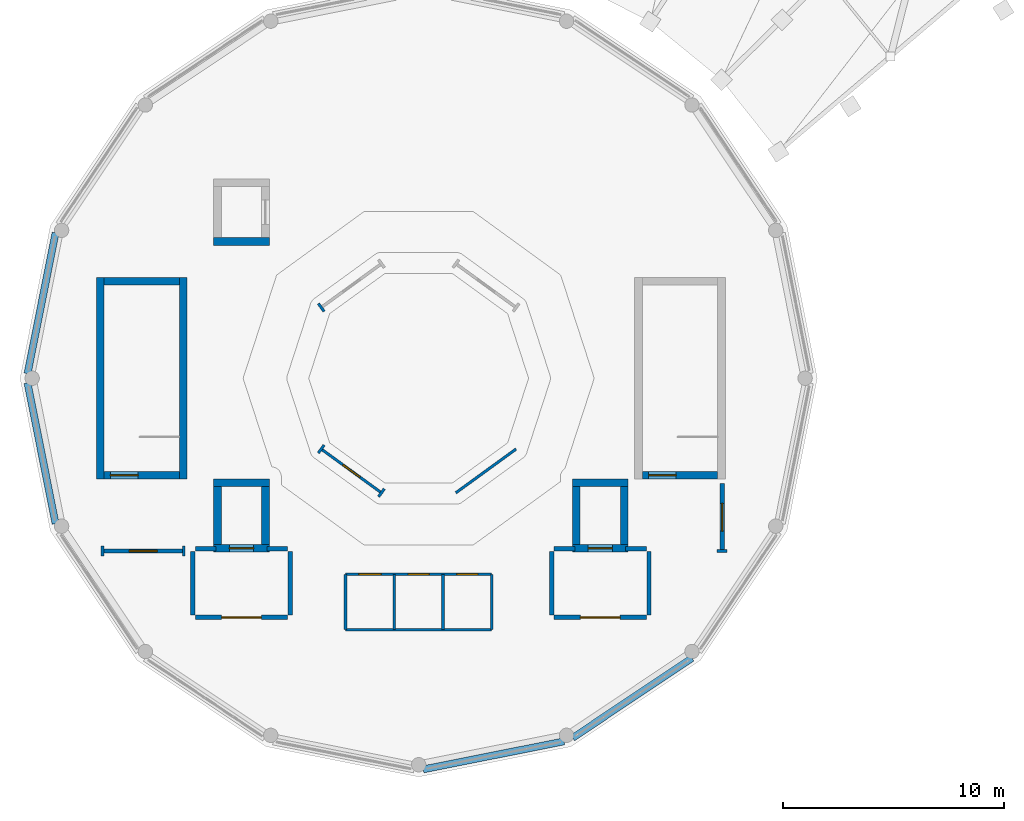
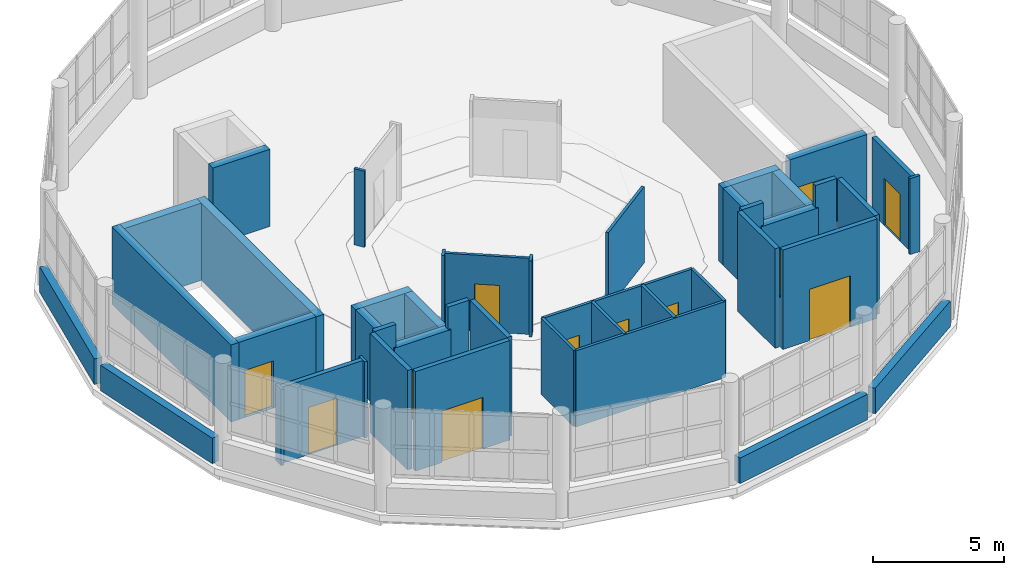
# One storey, part 10 of 12: 44 walls, 12 doors, 12 openings.
"""IFC4 building model written with IfcOpenShell, lengths in metres."""

from ifc_helpers import new_model, si_unit, direction, frame, frame_2d, origin, place, context, subcontext, project, spatial, rectangle, extrude, material, layer, layer_set, type_object, element, fill, save


model = new_model("IFC4")

# Units and contexts
model_context = context("Model", 3, precision=1e-05, world=origin(), true_north=direction((0.0, 1.0)))
body_context = subcontext(model_context, "Body", "Model", "MODEL_VIEW")
ifc_project = project(units=[si_unit("LENGTHUNIT", "METRE"), si_unit("AREAUNIT", "SQUARE_METRE"), si_unit("VOLUMEUNIT", "CUBIC_METRE"), si_unit("PLANEANGLEUNIT", "RADIAN"), si_unit("MASSUNIT", "GRAM", prefix="KILO")], contexts=[model_context])

# Site, building, storey
site_placement = place(None, origin())
site = spatial("IfcSite", under=ifc_project, at=site_placement, CompositionType="ELEMENT")
building_placement = place(site_placement, origin())
building = spatial("IfcBuilding", under=site, at=building_placement, Name="Soyqirgoq Riverine Aquarium", CompositionType="ELEMENT")
storey_placement = place(building_placement, frame((0.0, 0.0, 24.60009765625)))
storey = spatial("IfcBuildingStorey", under=building, at=storey_placement, Name="L06", CompositionType="ELEMENT", Elevation=24.60009765625)

# Wall, opening, door
ifc_material_1 = material(Name="Concrete C40/50", Category="concrete")
ifc_layer_1 = layer(ifc_material_1, 0.35009765625)
ifc_layer_set_1 = layer_set([ifc_layer_1], Name="Concrete C40/50")
wall_type_1 = type_object("IfcWallType", Name="CoreShearWall_350_C40", PredefinedType="SHEAR", material=ifc_layer_set_1)
wall_1_placement = place(storey_placement, frame((66.10009765625, 52.625, 0.0), z_axis=(0.0, 0.0, 1.0), x_axis=(1.0, 0.0, 0.0)))
wall_1 = element("IfcWall", 1, at=wall_1_placement, inside=storey, type_object=wall_type_1, Name="CORE-1 L06 Stair Core Shear Wall FRONT", PredefinedType="SHEAR", context=body_context, shape_type="SweptSolid", body=[
    extrude(rectangle(XDim=3.39990234375, YDim=0.35009765625, at=frame_2d((1.699951171875, 0.0))), origin(), (0.0, 0.0, 1.0), 3.599853515625),
])
opening_1_placement = place(wall_1_placement, frame((0.280029296875, 0.0, 0.0)))
opening_1 = element("IfcOpeningElement", 2, at=opening_1_placement, cuts=wall_1, Name="Opening FD-01", PredefinedType="OPENING", context=body_context, shape_type="SweptSolid", body=[
    extrude(rectangle(XDim=1.25, YDim=2.199951171875, at=frame_2d((0.625, 1.10009765625))), frame((0.0, 0.18505859375, 0.0), z_axis=(0.0, -1.0, 0.0), x_axis=(1.0, 0.0, 0.0)), (0.0, 0.0, 1.0), 0.3701171875),
])
ifc_material_2 = material(Name="Galvanised steel fire-resisting stair door", Category="steel")
door_type_1 = type_object("IfcDoorType", Name="StairFireDoor_1250x2200_EI90", OperationType="NOTDEFINED", PredefinedType="DOOR", material=ifc_material_2)
door_1_placement = place(opening_1_placement, origin())
door_1 = element("IfcDoor", 3, at=door_1_placement, inside=storey, type_object=door_type_1, Name="DR-ST-1-L06 ST-1 L06 Fire-Rated Stairwell Door", OperationType="SINGLE_SWING_LEFT", OverallHeight=2.199951171875, OverallWidth=1.25, PredefinedType="DOOR", context=body_context, shape_type="SweptSolid", body=[
    extrude(rectangle(XDim=1.25, YDim=2.199951171875, at=frame_2d((0.625, 1.10009765625))), frame((0.0, 0.02490234375, 0.0), z_axis=(0.0, -1.0, 0.0), x_axis=(1.0, 0.0, 0.0)), (0.0, 0.0, 1.0), 0.050048828125),
])
fill(opening_1, door_1)

wall_2_placement = place(storey_placement, frame((62.945068359375, 49.320068359375, 0.0), z_axis=(0.0, 0.0, 1.0), x_axis=(1.0, 0.0, 0.0)))
wall_2 = element("IfcWall", 4, at=wall_2_placement, inside=storey, type_object=wall_type_1, Name="Lift FFL-1 Shaft Wall L06 1", PredefinedType="SHEAR", context=body_context, shape_type="SweptSolid", body=[
    extrude(rectangle(XDim=2.510009765625, YDim=0.35009765625, at=frame_2d((1.2548828125, 0.0))), origin(), (0.0, 0.0, 1.0), 3.599853515625),
])
opening_2_placement = place(wall_2_placement, frame((0.705078125, 0.0, 0.0)))
opening_2 = element("IfcOpeningElement", 5, at=opening_2_placement, cuts=wall_2, Name="Opening LD-01", PredefinedType="OPENING", context=body_context, shape_type="SweptSolid", body=[
    extrude(rectangle(XDim=1.10009765625, YDim=2.199951171875, at=frame_2d((0.550048828125, 1.10009765625))), frame((0.0, 0.18505859375, 0.0), z_axis=(0.0, -1.0, 0.0), x_axis=(1.0, 0.0, 0.0)), (0.0, 0.0, 1.0), 0.3701171875),
])
ifc_material_3 = material(Name="Brushed stainless steel telescopic lift landing door", Category="steel")
door_type_2 = type_object("IfcDoorType", Name="LiftLandingDoor_1100x2200", OperationType="SLIDING_TO_LEFT", PredefinedType="DOOR", material=ifc_material_3)
door_2_placement = place(opening_2_placement, origin())
door_2 = element("IfcDoor", 6, at=door_2_placement, inside=storey, type_object=door_type_2, Name="LD-FFL-1-L06 Lift FFL-1 L06 Sliding Landing Door", OperationType="SLIDING_TO_LEFT", OverallHeight=2.199951171875, OverallWidth=1.10009765625, PredefinedType="DOOR", context=body_context, shape_type="SweptSolid", body=[
    extrude(rectangle(XDim=1.10009765625, YDim=2.199951171875, at=frame_2d((0.550048828125, 1.10009765625))), frame((0.0, 0.02490234375, 0.0), z_axis=(0.0, -1.0, 0.0), x_axis=(1.0, 0.0, 0.0)), (0.0, 0.0, 1.0), 0.050048828125),
])
fill(opening_2, door_2)

# Walls
wall_3_placement = place(storey_placement, frame((65.280029296875, 49.4951171875, 0.0), z_axis=(0.0, 0.0, 1.0), x_axis=(0.0, 1.0, 0.0)))
element("IfcWall", 7, at=wall_3_placement, inside=storey, type_object=wall_type_1, Name="Lift FFL-1 Shaft Wall L06 2", PredefinedType="SHEAR", context=body_context, shape_type="SweptSolid", body=[
    extrude(rectangle(XDim=2.60986328125, YDim=0.35009765625, at=frame_2d((1.304931640625, 0.0))), origin(), (0.0, 0.0, 1.0), 3.599853515625),
])
wall_4_placement = place(storey_placement, frame((65.455078125, 52.280029296875, 0.0), z_axis=(0.0, 0.0, 1.0), x_axis=(-1.0, 0.0, 0.0)))
element("IfcWall", 8, at=wall_4_placement, inside=storey, type_object=wall_type_1, Name="Lift FFL-1 Shaft Wall L06 3", PredefinedType="SHEAR", context=body_context, shape_type="SweptSolid", body=[
    extrude(rectangle(XDim=2.510009765625, YDim=0.35009765625, at=frame_2d((1.2548828125, 0.0))), origin(), (0.0, 0.0, 1.0), 3.599853515625),
])
wall_5_placement = place(storey_placement, frame((63.1201171875, 52.10498046875, 0.0), z_axis=(0.0, 0.0, 1.0), x_axis=(0.0, -1.0, 0.0)))
element("IfcWall", 9, at=wall_5_placement, inside=storey, type_object=wall_type_1, Name="Lift FFL-1 Shaft Wall L06 4", PredefinedType="SHEAR", context=body_context, shape_type="SweptSolid", body=[
    extrude(rectangle(XDim=2.60986328125, YDim=0.35009765625, at=frame_2d((1.304931640625, 0.0))), origin(), (0.0, 0.0, 1.0), 3.599853515625),
])
wall_6_placement = place(storey_placement, frame((45.375, 52.449951171875, 0.0), z_axis=(0.0, 0.0, 1.0), x_axis=(0.0, 1.0, 0.0)))
element("IfcWall", 10, at=wall_6_placement, inside=storey, type_object=wall_type_1, Name="CORE-1B L06 Stair Core Shear Wall SIDE1", PredefinedType="SHEAR", context=body_context, shape_type="SweptSolid", body=[
    extrude(rectangle(XDim=9.10009765625, YDim=0.35009765625, at=frame_2d((4.550048828125, 0.0))), origin(), (0.0, 0.0, 1.0), 3.599853515625),
])
wall_7_placement = place(storey_placement, frame((45.199951171875, 61.375, 0.0), z_axis=(0.0, 0.0, 1.0), x_axis=(-1.0, 0.0, 0.0)))
element("IfcWall", 11, at=wall_7_placement, inside=storey, type_object=wall_type_1, Name="CORE-1B L06 Stair Core Shear Wall BACK", PredefinedType="SHEAR", context=body_context, shape_type="SweptSolid", body=[
    extrude(rectangle(XDim=3.39990234375, YDim=0.35009765625, at=frame_2d((1.699951171875, 0.0))), origin(), (0.0, 0.0, 1.0), 3.599853515625),
])
wall_8_placement = place(storey_placement, frame((41.625, 61.550048828125, 0.0), z_axis=(0.0, 0.0, 1.0), x_axis=(0.0, -1.0, 0.0)))
element("IfcWall", 12, at=wall_8_placement, inside=storey, type_object=wall_type_1, Name="CORE-1B L06 Stair Core Shear Wall SIDE2", PredefinedType="SHEAR", context=body_context, shape_type="SweptSolid", body=[
    extrude(rectangle(XDim=9.10009765625, YDim=0.35009765625, at=frame_2d((4.550048828125, 0.0))), origin(), (0.0, 0.0, 1.0), 3.599853515625),
])

# Wall, opening, door
wall_9_placement = place(storey_placement, frame((41.800048828125, 52.625, 0.0), z_axis=(0.0, 0.0, 1.0), x_axis=(1.0, 0.0, 0.0)))
wall_9 = element("IfcWall", 13, at=wall_9_placement, inside=storey, type_object=wall_type_1, Name="CORE-1B L06 Stair Core Shear Wall FRONT", PredefinedType="SHEAR", context=body_context, shape_type="SweptSolid", body=[
    extrude(rectangle(XDim=3.39990234375, YDim=0.35009765625, at=frame_2d((1.699951171875, 0.0))), origin(), (0.0, 0.0, 1.0), 3.599853515625),
])
opening_3_placement = place(wall_9_placement, frame((0.280029296875, 0.0, 0.0)))
opening_3 = element("IfcOpeningElement", 14, at=opening_3_placement, cuts=wall_9, Name="Opening FD-01", PredefinedType="OPENING", context=body_context, shape_type="SweptSolid", body=[
    extrude(rectangle(XDim=1.25, YDim=2.199951171875, at=frame_2d((0.625, 1.10009765625))), frame((0.0, 0.18505859375, 0.0), z_axis=(0.0, -1.0, 0.0), x_axis=(1.0, 0.0, 0.0)), (0.0, 0.0, 1.0), 0.3701171875),
])
door_3_placement = place(opening_3_placement, origin())
door_3 = element("IfcDoor", 15, at=door_3_placement, inside=storey, type_object=door_type_1, Name="DR-ST-9-L06 ST-9 L06 Fire-Rated Stairwell Door", OperationType="SINGLE_SWING_LEFT", OverallHeight=2.199951171875, OverallWidth=1.25, PredefinedType="DOOR", context=body_context, shape_type="SweptSolid", body=[
    extrude(rectangle(XDim=1.25, YDim=2.199951171875, at=frame_2d((0.625, 1.10009765625))), frame((0.0, 0.02490234375, 0.0), z_axis=(0.0, -1.0, 0.0), x_axis=(1.0, 0.0, 0.0)), (0.0, 0.0, 1.0), 0.050048828125),
])
fill(opening_3, door_3)

wall_10_placement = place(storey_placement, frame((46.7451171875, 49.320068359375, 0.0), z_axis=(0.0, 0.0, 1.0), x_axis=(1.0, 0.0, 0.0)))
wall_10 = element("IfcWall", 16, at=wall_10_placement, inside=storey, type_object=wall_type_1, Name="Lift FFL-2 Shaft Wall L06 1", PredefinedType="SHEAR", context=body_context, shape_type="SweptSolid", body=[
    extrude(rectangle(XDim=2.509765625, YDim=0.35009765625, at=frame_2d((1.2548828125, 0.0))), origin(), (0.0, 0.0, 1.0), 3.599853515625),
])
opening_4_placement = place(wall_10_placement, frame((0.705078125, 0.0, 0.0)))
opening_4 = element("IfcOpeningElement", 17, at=opening_4_placement, cuts=wall_10, Name="Opening LD-01", PredefinedType="OPENING", context=body_context, shape_type="SweptSolid", body=[
    extrude(rectangle(XDim=1.10009765625, YDim=2.199951171875, at=frame_2d((0.550048828125, 1.10009765625))), frame((0.0, 0.18505859375, 0.0), z_axis=(0.0, -1.0, 0.0), x_axis=(1.0, 0.0, 0.0)), (0.0, 0.0, 1.0), 0.3701171875),
])
door_4_placement = place(opening_4_placement, origin())
door_4 = element("IfcDoor", 18, at=door_4_placement, inside=storey, type_object=door_type_2, Name="LD-FFL-2-L06 Lift FFL-2 L06 Sliding Landing Door", OperationType="SLIDING_TO_LEFT", OverallHeight=2.199951171875, OverallWidth=1.10009765625, PredefinedType="DOOR", context=body_context, shape_type="SweptSolid", body=[
    extrude(rectangle(XDim=1.10009765625, YDim=2.199951171875, at=frame_2d((0.550048828125, 1.10009765625))), frame((0.0, 0.02490234375, 0.0), z_axis=(0.0, -1.0, 0.0), x_axis=(1.0, 0.0, 0.0)), (0.0, 0.0, 1.0), 0.050048828125),
])
fill(opening_4, door_4)

# Walls
wall_11_placement = place(storey_placement, frame((49.080078125, 49.4951171875, 0.0), z_axis=(0.0, 0.0, 1.0), x_axis=(0.0, 1.0, 0.0)))
element("IfcWall", 19, at=wall_11_placement, inside=storey, type_object=wall_type_1, Name="Lift FFL-2 Shaft Wall L06 2", PredefinedType="SHEAR", context=body_context, shape_type="SweptSolid", body=[
    extrude(rectangle(XDim=2.60986328125, YDim=0.35009765625, at=frame_2d((1.304931640625, 0.0))), origin(), (0.0, 0.0, 1.0), 3.599853515625),
])
wall_12_placement = place(storey_placement, frame((49.2548828125, 52.280029296875, 0.0), z_axis=(0.0, 0.0, 1.0), x_axis=(-1.0, 0.0, 0.0)))
element("IfcWall", 20, at=wall_12_placement, inside=storey, type_object=wall_type_1, Name="Lift FFL-2 Shaft Wall L06 3", PredefinedType="SHEAR", context=body_context, shape_type="SweptSolid", body=[
    extrude(rectangle(XDim=2.509765625, YDim=0.35009765625, at=frame_2d((1.2548828125, 0.0))), origin(), (0.0, 0.0, 1.0), 3.599853515625),
])
wall_13_placement = place(storey_placement, frame((46.919921875, 52.10498046875, 0.0), z_axis=(0.0, 0.0, 1.0), x_axis=(0.0, -1.0, 0.0)))
element("IfcWall", 21, at=wall_13_placement, inside=storey, type_object=wall_type_1, Name="Lift FFL-2 Shaft Wall L06 4", PredefinedType="SHEAR", context=body_context, shape_type="SweptSolid", body=[
    extrude(rectangle(XDim=2.60986328125, YDim=0.35009765625, at=frame_2d((1.304931640625, 0.0))), origin(), (0.0, 0.0, 1.0), 3.599853515625),
])
wall_14_placement = place(storey_placement, frame((46.7451171875, 63.169921875, 0.0), z_axis=(0.0, 0.0, 1.0), x_axis=(1.0, 0.0, 0.0)))
element("IfcWall", 22, at=wall_14_placement, inside=storey, type_object=wall_type_1, Name="Lift PL-1 Shaft Wall L06 1", PredefinedType="SHEAR", context=body_context, shape_type="SweptSolid", body=[
    extrude(rectangle(XDim=2.509765625, YDim=0.35009765625, at=frame_2d((1.2548828125, 0.0))), origin(), (0.0, 0.0, 1.0), 3.599853515625),
])
ifc_material_4 = material(Name="Insulated composite travertine rainscreen", Category="masonry")
ifc_layer_2 = layer(ifc_material_4, 0.320068359375)
ifc_layer_set_2 = layer_set([ifc_layer_2], Name="Insulated composite travertine rainscreen")
wall_type_2 = type_object("IfcWallType", Name="CrownClerestoryWall_320", PredefinedType="SOLIDWALL", material=ifc_layer_set_2)
for number, where, z_axis, x_axis, name in (
    (23, (39.605712890625, 63.56494140625, 0.0), (0.0, 0.0, 1.0), (-0.195058346626, -0.980791640162, 0.0), "V1 L06 Exterior Travertine Wall 0033"),
    (24, (38.341552734375, 56.79150390625, 0.0), (0.0, 0.0, 1.0), (0.195058346626, -0.980791640162, 0.0), "V1 L06 Exterior Travertine Wall 0039"),
    (25, (56.20849609375, 39.341552734375, 0.0), (0.0, 0.0, 1.0), (0.980791640162, 0.195058346626, 0.0), "V1 L06 Exterior Travertine Wall 0043"),
):
    element("IfcWall", number, at=place(storey_placement, frame(where, z_axis=z_axis, x_axis=x_axis)), inside=storey, type_object=wall_type_2, Name=name, PredefinedType="SOLIDWALL", context=body_context, shape_type="SweptSolid", body=[
        extrude(rectangle(XDim=6.48095703125, YDim=0.320068359375, at=frame_2d((3.240478515625, 0.0))), origin(), (0.0, 0.0, 1.0), 1.18994140625),
    ])
wall_15_placement = place(storey_placement, frame((62.9501953125, 40.765380859375, 0.0), z_axis=(0.0, 0.0, 1.0), x_axis=(0.83148191598, 0.555551818823, 0.0)))
element("IfcWall", 26, at=wall_15_placement, inside=storey, type_object=wall_type_2, Name="V1 L06 Exterior Travertine Wall 0046", PredefinedType="SOLIDWALL", context=body_context, shape_type="SweptSolid", body=[
    extrude(rectangle(XDim=6.481201171875, YDim=0.320068359375, at=frame_2d((3.24072265625, 0.0))), origin(), (0.0, 0.0, 1.0), 1.18994140625),
])

# Wall, opening, door
ifc_material_5 = material(Name="Lightweight steel-stud gypsum partition", Category="steel")
ifc_layer_3 = layer(ifc_material_5, 0.1201171875)
ifc_layer_set_3 = layer_set([ifc_layer_3], Name="Lightweight steel-stud gypsum partition")
wall_type_3 = type_object("IfcWallType", Name="PartitionWall_120_Std", PredefinedType="PARTITIONING", material=ifc_layer_set_3)
wall_16_placement = place(storey_placement, frame((51.601318359375, 53.80419921875, 0.0), z_axis=(0.0, 0.0, 1.0), x_axis=(0.809018758112, -0.587782824709, 0.0)))
wall_16 = element("IfcWall", 27, at=wall_16_placement, inside=storey, type_object=wall_type_3, Name="Rooftop Terrace Lounge Partition Wall", PredefinedType="PARTITIONING", context=body_context, shape_type="SweptSolid", body=[
    extrude(rectangle(XDim=3.3603515625, YDim=0.1201171875, at=frame_2d((1.68017578125, 0.0))), origin(), (0.0, 0.0, 1.0), 3.5498046875),
])
opening_5_placement = place(wall_16_placement, frame((1.205078125, 0.0, 0.0)))
opening_5 = element("IfcOpeningElement", 28, at=opening_5_placement, cuts=wall_16, Name="Opening ID-06", PredefinedType="OPENING", context=body_context, shape_type="SweptSolid", body=[
    extrude(rectangle(XDim=0.949951171875, YDim=2.199951171875, at=frame_2d((0.47509765625, 1.10009765625))), frame((0.0, 0.070068359375, 0.0), z_axis=(0.0, -1.0, 0.0), x_axis=(1.0, 0.0, 0.0)), (0.0, 0.0, 1.0), 0.14013671875),
])
ifc_material_6 = material(Name="Moisture-resistant HPL washroom door", Category="wood")
door_type_3 = type_object("IfcDoorType", Name="WCDoor_950x2200", OperationType="NOTDEFINED", PredefinedType="DOOR", material=ifc_material_6)
door_5_placement = place(opening_5_placement, origin())
door_5 = element("IfcDoor", 29, at=door_5_placement, inside=storey, type_object=door_type_3, Name="IDR-V1-L06-0074 Ocean Drum Circulation Corridor Access Door", OperationType="SINGLE_SWING_RIGHT", OverallHeight=2.199951171875, OverallWidth=0.949951171875, PredefinedType="DOOR", context=body_context, shape_type="SweptSolid", body=[
    extrude(rectangle(XDim=0.949951171875, YDim=2.199951171875, at=frame_2d((0.47509765625, 1.10009765625))), frame((0.0, 0.02490234375, 0.0), z_axis=(0.0, -1.0, 0.0), x_axis=(1.0, 0.0, 0.0)), (0.0, 0.0, 1.0), 0.050048828125),
])
fill(opening_5, door_5)

# Walls
wall_17_placement = place(storey_placement, frame((57.68017578125, 51.8291015625, 0.0), z_axis=(0.0, 0.0, 1.0), x_axis=(0.809018758112, 0.587782824709, 0.0)))
element("IfcWall", 30, at=wall_17_placement, inside=storey, type_object=wall_type_3, Name="Rooftop Terrace Lounge Partition Wall", PredefinedType="PARTITIONING", context=body_context, shape_type="SweptSolid", body=[
    extrude(rectangle(XDim=3.3603515625, YDim=0.1201171875, at=frame_2d((1.68017578125, 0.0))), origin(), (0.0, 0.0, 1.0), 3.5498046875),
])
for number, where, z_axis, x_axis, name in (
    (31, (69.919921875, 49.199951171875, 0.0), (0.0, 0.0, 1.0), (-1.0, 0.0, 0.0), "V1 L06 Jamb Return Pier"),
    (32, (41.723388671875, 48.97998046875, 0.0), (0.0, 0.0, 1.0), (0.0, 1.0, 0.0), "V1 L06 Jamb Return Pier"),
    (33, (45.39990234375, 48.97998046875, 0.0), (0.0, 0.0, 1.0), (0.0, 1.0, 0.0), "V1 L06 Jamb Return Pier"),
):
    element("IfcWall", number, at=place(storey_placement, frame(where, z_axis=z_axis, x_axis=x_axis)), inside=storey, type_object=wall_type_3, Name=name, PredefinedType="PARTITIONING", context=body_context, shape_type="SweptSolid", body=[
        extrude(rectangle(XDim=0.43994140625, YDim=0.1201171875, at=frame_2d((0.219970703125, 0.0))), origin(), (0.0, 0.0, 1.0), 3.5498046875),
    ])
for number, where, z_axis, x_axis, name in (
    (34, (51.47216796875, 60.373779296875, 0.0), (0.0, 0.0, 1.0), (0.587412867849, -0.809287416611, 0.0), "V1 L06 Jamb Return Pier"),
    (35, (51.47216796875, 53.626220703125, 0.0), (0.0, 0.0, 1.0), (0.587412867849, 0.809287416611, 0.0), "V1 L06 Jamb Return Pier"),
):
    element("IfcWall", number, at=place(storey_placement, frame(where, z_axis=z_axis, x_axis=x_axis)), inside=storey, type_object=wall_type_3, Name=name, PredefinedType="PARTITIONING", context=body_context, shape_type="SweptSolid", body=[
        extrude(rectangle(XDim=0.440185546875, YDim=0.1201171875, at=frame_2d((0.22021484375, 0.0))), origin(), (0.0, 0.0, 1.0), 3.5498046875),
    ])
wall_18_placement = place(storey_placement, frame((54.190673828125, 51.651123046875, 0.0), z_axis=(0.0, 0.0, 1.0), x_axis=(0.587676645097, 0.809095890984, 0.0)))
element("IfcWall", 36, at=wall_18_placement, inside=storey, type_object=wall_type_3, Name="V1 L06 Jamb Return Pier", PredefinedType="PARTITIONING", context=body_context, shape_type="SweptSolid", body=[
    extrude(rectangle(XDim=0.43994140625, YDim=0.1201171875, at=frame_2d((0.219970703125, 0.0))), origin(), (0.0, 0.0, 1.0), 3.5498046875),
])

# Wall, openings, doors
ifc_material_7 = material(Name="Moisture-resistant cement-board wet-room partition", Category="gypsum")
ifc_layer_4 = layer(ifc_material_7, 0.125)
ifc_layer_set_4 = layer_set([ifc_layer_4], Name="Moisture-resistant cement-board wet-room partition")
wall_type_4 = type_object("IfcWallType", Name="PartitionWall_125_Wet", PredefinedType="PARTITIONING", material=ifc_layer_set_4)
wall_19_placement = place(storey_placement, frame((52.699951171875, 48.14990234375, 0.0), z_axis=(0.0, 0.0, 1.0), x_axis=(1.0, 0.0, 0.0)))
wall_19 = element("IfcWall", 37, at=wall_19_placement, inside=storey, type_object=wall_type_4, Name="V1 L06 WC Suite Front Wall", PredefinedType="PARTITIONING", context=body_context, shape_type="SweptSolid", body=[
    extrude(rectangle(XDim=6.60009765625, YDim=0.125, at=frame_2d((3.300048828125, 0.0))), origin(), (0.0, 0.0, 1.0), 3.5498046875),
])
opening_6_placement = place(wall_19_placement, frame((0.60009765625, 0.0, 0.0)))
opening_6 = element("IfcOpeningElement", 38, at=opening_6_placement, cuts=wall_19, Name="Opening ID-05", PredefinedType="OPENING", context=body_context, shape_type="SweptSolid", body=[
    extrude(rectangle(XDim=1.0, YDim=2.199951171875, at=frame_2d((0.5, 1.10009765625))), frame((0.0, 0.072509765625, 0.0), z_axis=(0.0, -1.0, 0.0), x_axis=(1.0, 0.0, 0.0)), (0.0, 0.0, 1.0), 0.14501953125),
])
opening_7_placement = place(wall_19_placement, frame((2.824951171875, 0.0, 0.0)))
opening_7 = element("IfcOpeningElement", 39, at=opening_7_placement, cuts=wall_19, Name="Opening ID-06", PredefinedType="OPENING", context=body_context, shape_type="SweptSolid", body=[
    extrude(rectangle(XDim=0.949951171875, YDim=2.199951171875, at=frame_2d((0.47509765625, 1.10009765625))), frame((0.0, 0.072509765625, 0.0), z_axis=(0.0, -1.0, 0.0), x_axis=(1.0, 0.0, 0.0)), (0.0, 0.0, 1.0), 0.14501953125),
])
opening_8_placement = place(wall_19_placement, frame((5.02490234375, 0.0, 0.0)))
opening_8 = element("IfcOpeningElement", 40, at=opening_8_placement, cuts=wall_19, Name="Opening ID-06", PredefinedType="OPENING", context=body_context, shape_type="SweptSolid", body=[
    extrude(rectangle(XDim=0.949951171875, YDim=2.199951171875, at=frame_2d((0.47509765625, 1.10009765625))), frame((0.0, 0.072509765625, 0.0), z_axis=(0.0, -1.0, 0.0), x_axis=(1.0, 0.0, 0.0)), (0.0, 0.0, 1.0), 0.14501953125),
])
ifc_material_8 = material(Name="Moisture-resistant HPL accessible washroom door", Category="wood")
door_type_4 = type_object("IfcDoorType", Name="AccessibleWCDoor_1000x2200", OperationType="NOTDEFINED", PredefinedType="DOOR", material=ifc_material_8)
door_6_placement = place(opening_6_placement, origin())
door_6 = element("IfcDoor", 41, at=door_6_placement, inside=storey, type_object=door_type_4, Name="IDR-V1-L06-0067 Accessible WC Door", OperationType="SINGLE_SWING_LEFT", OverallHeight=2.199951171875, OverallWidth=1.0, PredefinedType="DOOR", context=body_context, shape_type="SweptSolid", body=[
    extrude(rectangle(XDim=1.0, YDim=2.199951171875, at=frame_2d((0.5, 1.10009765625))), frame((0.0, 0.02490234375, 0.0), z_axis=(0.0, -1.0, 0.0), x_axis=(1.0, 0.0, 0.0)), (0.0, 0.0, 1.0), 0.050048828125),
])
fill(opening_6, door_6)
door_7_placement = place(opening_7_placement, origin())
door_7 = element("IfcDoor", 42, at=door_7_placement, inside=storey, type_object=door_type_3, Name="IDR-V1-L06-0068 Public Female WC Door", OperationType="SINGLE_SWING_RIGHT", OverallHeight=2.199951171875, OverallWidth=0.949951171875, PredefinedType="DOOR", context=body_context, shape_type="SweptSolid", body=[
    extrude(rectangle(XDim=0.949951171875, YDim=2.199951171875, at=frame_2d((0.47509765625, 1.10009765625))), frame((0.0, 0.02490234375, 0.0), z_axis=(0.0, -1.0, 0.0), x_axis=(1.0, 0.0, 0.0)), (0.0, 0.0, 1.0), 0.050048828125),
])
fill(opening_7, door_7)
door_8_placement = place(opening_8_placement, origin())
door_8 = element("IfcDoor", 43, at=door_8_placement, inside=storey, type_object=door_type_3, Name="IDR-V1-L06-0069 Public Male WC Door", OperationType="SINGLE_SWING_LEFT", OverallHeight=2.199951171875, OverallWidth=0.949951171875, PredefinedType="DOOR", context=body_context, shape_type="SweptSolid", body=[
    extrude(rectangle(XDim=0.949951171875, YDim=2.199951171875, at=frame_2d((0.47509765625, 1.10009765625))), frame((0.0, 0.02490234375, 0.0), z_axis=(0.0, -1.0, 0.0), x_axis=(1.0, 0.0, 0.0)), (0.0, 0.0, 1.0), 0.050048828125),
])
fill(opening_8, door_8)

# Walls
wall_20_placement = place(storey_placement, frame((52.699951171875, 45.64990234375, 0.0), z_axis=(0.0, 0.0, 1.0), x_axis=(1.0, 0.0, 0.0)))
element("IfcWall", 44, at=wall_20_placement, inside=storey, type_object=wall_type_4, Name="V1 L06 WC Suite Back Wall", PredefinedType="PARTITIONING", context=body_context, shape_type="SweptSolid", body=[
    extrude(rectangle(XDim=6.60009765625, YDim=0.125, at=frame_2d((3.300048828125, 0.0))), origin(), (0.0, 0.0, 1.0), 3.5498046875),
])
for number, where, z_axis, x_axis, name in (
    (45, (52.699951171875, 45.64990234375, 0.0), (0.0, 0.0, 1.0), (0.0, 1.0, 0.0), "V1 L06 WC Suite West Wall"),
    (46, (59.300048828125, 45.64990234375, 0.0), (0.0, 0.0, 1.0), (0.0, 1.0, 0.0), "V1 L06 WC Suite East Wall"),
    (47, (54.89990234375, 45.64990234375, 0.0), (0.0, 0.0, 1.0), (0.0, 1.0, 0.0), "V1 L06 WC Cubicle Divider 1"),
    (48, (57.10009765625, 45.64990234375, 0.0), (0.0, 0.0, 1.0), (0.0, 1.0, 0.0), "V1 L06 WC Cubicle Divider 2"),
):
    element("IfcWall", number, at=place(storey_placement, frame(where, z_axis=z_axis, x_axis=x_axis)), inside=storey, type_object=wall_type_4, Name=name, PredefinedType="PARTITIONING", context=body_context, shape_type="SweptSolid", body=[
        extrude(rectangle(XDim=2.5, YDim=0.125, at=frame_2d((1.25, 0.0))), origin(), (0.0, 0.0, 1.0), 3.5498046875),
    ])

# Wall, opening, door
ifc_material_9 = material(Name="Fire-rated calcium silicate twin-stud partition", Category="gypsum")
ifc_layer_5 = layer(ifc_material_9, 0.199951171875)
ifc_layer_set_5 = layer_set([ifc_layer_5], Name="Fire-rated calcium silicate twin-stud partition")
wall_type_5 = type_object("IfcWallType", Name="PartitionWall_200_EI90", PredefinedType="PARTITIONING", material=ifc_layer_set_5)
wall_21_placement = place(storey_placement, frame((62.1201171875, 46.199951171875, 0.0), z_axis=(0.0, 0.0, 1.0), x_axis=(1.0, 0.0, 0.0)))
wall_21 = element("IfcWall", 49, at=wall_21_placement, inside=storey, type_object=wall_type_5, Name="CORE-1 L06 Firefighting Lobby South Enclosure Wall", PredefinedType="PARTITIONING", context=body_context, shape_type="SweptSolid", body=[
    extrude(rectangle(XDim=4.159912109375, YDim=0.199951171875, at=frame_2d((2.080078125, 0.0))), origin(), (0.0, 0.0, 1.0), 4.639892578125),
])
opening_9_placement = place(wall_21_placement, frame((1.179931640625, 0.0, 0.0)))
opening_9 = element("IfcOpeningElement", 50, at=opening_9_placement, cuts=wall_21, Name="Opening FD-02", PredefinedType="OPENING", context=body_context, shape_type="SweptSolid", body=[
    extrude(rectangle(XDim=1.800048828125, YDim=2.39990234375, at=frame_2d((0.89990234375, 1.199951171875))), frame((0.0, 0.10986328125, 0.0), z_axis=(0.0, -1.0, 0.0), x_axis=(1.0, 0.0, 0.0)), (0.0, 0.0, 1.0), 0.219970703125),
])
ifc_material_10 = material(Name="Glazed steel fire-resisting corridor double door", Category="steel")
door_type_5 = type_object("IfcDoorType", Name="LobbyFireDoor_1800x2400_EI60", OperationType="DOUBLE_DOOR_SINGLE_SWING", PredefinedType="DOOR", material=ifc_material_10)
door_9_placement = place(opening_9_placement, origin())
door_9 = element("IfcDoor", 51, at=door_9_placement, inside=storey, type_object=door_type_5, Name="DR-FFL-CORE-1-L06 CORE-1 L06 Firefighting Lobby Fire Door", OperationType="DOUBLE_DOOR_SINGLE_SWING", OverallHeight=2.39990234375, OverallWidth=1.800048828125, PredefinedType="DOOR", context=body_context, shape_type="SweptSolid", body=[
    extrude(rectangle(XDim=1.800048828125, YDim=2.39990234375, at=frame_2d((0.89990234375, 1.199951171875))), frame((0.0, 0.02490234375, 0.0), z_axis=(0.0, -1.0, 0.0), x_axis=(1.0, 0.0, 0.0)), (0.0, 0.0, 1.0), 0.050048828125),
])
fill(opening_9, door_9)

# Walls
for number, where, z_axis, x_axis, name in (
    (52, (62.0, 46.320068359375, 0.0), (0.0, 0.0, 1.0), (0.0, 1.0, 0.0), "CORE-1 L06 Firefighting Lobby W Wall"),
    (53, (66.39990234375, 46.320068359375, 0.0), (0.0, 0.0, 1.0), (0.0, 1.0, 0.0), "CORE-1 L06 Firefighting Lobby E Wall"),
):
    element("IfcWall", number, at=place(storey_placement, frame(where, z_axis=z_axis, x_axis=x_axis)), inside=storey, type_object=wall_type_5, Name=name, PredefinedType="PARTITIONING", context=body_context, shape_type="SweptSolid", body=[
        extrude(rectangle(XDim=2.85986328125, YDim=0.199951171875, at=frame_2d((1.429931640625, 0.0))), origin(), (0.0, 0.0, 1.0), 4.639892578125),
    ])
for number, where, z_axis, x_axis, name in (
    (54, (62.1201171875, 49.300048828125, 0.0), (0.0, 0.0, 1.0), (1.0, 0.0, 0.0), "CORE-1 L06 Firefighting Lobby NL Wall"),
    (55, (65.35009765625, 49.300048828125, 0.0), (0.0, 0.0, 1.0), (1.0, 0.0, 0.0), "CORE-1 L06 Firefighting Lobby NR Wall"),
):
    element("IfcWall", number, at=place(storey_placement, frame(where, z_axis=z_axis, x_axis=x_axis)), inside=storey, type_object=wall_type_5, Name=name, PredefinedType="PARTITIONING", context=body_context, shape_type="SweptSolid", body=[
        extrude(rectangle(XDim=0.929931640625, YDim=0.199951171875, at=frame_2d((0.46484375, 0.0))), origin(), (0.0, 0.0, 1.0), 4.639892578125),
    ])

# Wall, opening, door
wall_22_placement = place(storey_placement, frame((45.919921875, 46.199951171875, 0.0), z_axis=(0.0, 0.0, 1.0), x_axis=(1.0, 0.0, 0.0)))
wall_22 = element("IfcWall", 56, at=wall_22_placement, inside=storey, type_object=wall_type_5, Name="CORE-1B L06 Firefighting Lobby South Enclosure Wall", PredefinedType="PARTITIONING", context=body_context, shape_type="SweptSolid", body=[
    extrude(rectangle(XDim=4.16015625, YDim=0.199951171875, at=frame_2d((2.080078125, 0.0))), origin(), (0.0, 0.0, 1.0), 4.639892578125),
])
opening_10_placement = place(wall_22_placement, frame((1.179931640625, 0.0, 0.0)))
opening_10 = element("IfcOpeningElement", 57, at=opening_10_placement, cuts=wall_22, Name="Opening FD-02", PredefinedType="OPENING", context=body_context, shape_type="SweptSolid", body=[
    extrude(rectangle(XDim=1.800048828125, YDim=2.39990234375, at=frame_2d((0.89990234375, 1.199951171875))), frame((0.0, 0.10986328125, 0.0), z_axis=(0.0, -1.0, 0.0), x_axis=(1.0, 0.0, 0.0)), (0.0, 0.0, 1.0), 0.219970703125),
])
door_10_placement = place(opening_10_placement, origin())
door_10 = element("IfcDoor", 58, at=door_10_placement, inside=storey, type_object=door_type_5, Name="DR-FFL-CORE-1B-L06 CORE-1B L06 Firefighting Lobby Fire Door", OperationType="DOUBLE_DOOR_SINGLE_SWING", OverallHeight=2.39990234375, OverallWidth=1.800048828125, PredefinedType="DOOR", context=body_context, shape_type="SweptSolid", body=[
    extrude(rectangle(XDim=1.800048828125, YDim=2.39990234375, at=frame_2d((0.89990234375, 1.199951171875))), frame((0.0, 0.02490234375, 0.0), z_axis=(0.0, -1.0, 0.0), x_axis=(1.0, 0.0, 0.0)), (0.0, 0.0, 1.0), 0.050048828125),
])
fill(opening_10, door_10)

# Walls
for number, where, z_axis, x_axis, name in (
    (59, (45.800048828125, 46.320068359375, 0.0), (0.0, 0.0, 1.0), (0.0, 1.0, 0.0), "CORE-1B L06 Firefighting Lobby W Wall"),
    (60, (50.199951171875, 46.320068359375, 0.0), (0.0, 0.0, 1.0), (0.0, 1.0, 0.0), "CORE-1B L06 Firefighting Lobby E Wall"),
):
    element("IfcWall", number, at=place(storey_placement, frame(where, z_axis=z_axis, x_axis=x_axis)), inside=storey, type_object=wall_type_5, Name=name, PredefinedType="PARTITIONING", context=body_context, shape_type="SweptSolid", body=[
        extrude(rectangle(XDim=2.85986328125, YDim=0.199951171875, at=frame_2d((1.429931640625, 0.0))), origin(), (0.0, 0.0, 1.0), 4.639892578125),
    ])
for number, where, z_axis, x_axis, name in (
    (61, (45.919921875, 49.300048828125, 0.0), (0.0, 0.0, 1.0), (1.0, 0.0, 0.0), "CORE-1B L06 Firefighting Lobby NL Wall"),
    (62, (49.14990234375, 49.300048828125, 0.0), (0.0, 0.0, 1.0), (1.0, 0.0, 0.0), "CORE-1B L06 Firefighting Lobby NR Wall"),
):
    element("IfcWall", number, at=place(storey_placement, frame(where, z_axis=z_axis, x_axis=x_axis)), inside=storey, type_object=wall_type_5, Name=name, PredefinedType="PARTITIONING", context=body_context, shape_type="SweptSolid", body=[
        extrude(rectangle(XDim=0.93017578125, YDim=0.199951171875, at=frame_2d((0.465087890625, 0.0))), origin(), (0.0, 0.0, 1.0), 4.639892578125),
    ])

# Wall, opening, door
wall_23_placement = place(storey_placement, frame((69.699951171875, 49.199951171875, 0.0), z_axis=(0.0, 0.0, 1.0), x_axis=(0.0, 1.0, 0.0)))
wall_23 = element("IfcWall", 63, at=wall_23_placement, inside=storey, type_object=wall_type_5, Name="Stair Vestibule ST-1 Fire Enclosure Wall", PredefinedType="PARTITIONING", context=body_context, shape_type="SweptSolid", body=[
    extrude(rectangle(XDim=3.050048828125, YDim=0.199951171875, at=frame_2d((1.52490234375, 0.0))), origin(), (0.0, 0.0, 1.0), 3.5498046875),
])
opening_11_placement = place(wall_23_placement, frame((0.89990234375, 0.0, 0.0)))
opening_11 = element("IfcOpeningElement", 64, at=opening_11_placement, cuts=wall_23, Name="Opening FD-01", PredefinedType="OPENING", context=body_context, shape_type="SweptSolid", body=[
    extrude(rectangle(XDim=1.25, YDim=2.199951171875, at=frame_2d((0.625, 1.10009765625))), frame((0.0, 0.10986328125, 0.0), z_axis=(0.0, -1.0, 0.0), x_axis=(1.0, 0.0, 0.0)), (0.0, 0.0, 1.0), 0.219970703125),
])
door_11_placement = place(opening_11_placement, origin())
door_11 = element("IfcDoor", 65, at=door_11_placement, inside=storey, type_object=door_type_1, Name="IDR-V1-L06-0070 Stair Vestibule ST-1 Egress Fire Door", OperationType="SINGLE_SWING_LEFT", OverallHeight=2.199951171875, OverallWidth=1.25, PredefinedType="DOOR", context=body_context, shape_type="SweptSolid", body=[
    extrude(rectangle(XDim=1.25, YDim=2.199951171875, at=frame_2d((0.625, 1.10009765625))), frame((0.0, 0.02490234375, 0.0), z_axis=(0.0, -1.0, 0.0), x_axis=(1.0, 0.0, 0.0)), (0.0, 0.0, 1.0), 0.050048828125),
])
fill(opening_11, door_11)

wall_24_placement = place(storey_placement, frame((41.723388671875, 49.199951171875, 0.0), z_axis=(0.0, 0.0, 1.0), x_axis=(1.0, 0.0, 0.0)))
wall_24 = element("IfcWall", 66, at=wall_24_placement, inside=storey, type_object=wall_type_5, Name="Stair Vestibule ST-9 Fire Enclosure Wall", PredefinedType="PARTITIONING", context=body_context, shape_type="SweptSolid", body=[
    extrude(rectangle(XDim=3.676513671875, YDim=0.199951171875, at=frame_2d((1.83837890625, 0.0))), origin(), (0.0, 0.0, 1.0), 3.5498046875),
])
opening_12_placement = place(wall_24_placement, frame((1.21337890625, 0.0, 0.0)))
opening_12 = element("IfcOpeningElement", 67, at=opening_12_placement, cuts=wall_24, Name="Opening FD-01", PredefinedType="OPENING", context=body_context, shape_type="SweptSolid", body=[
    extrude(rectangle(XDim=1.25, YDim=2.199951171875, at=frame_2d((0.625, 1.10009765625))), frame((0.0, 0.10986328125, 0.0), z_axis=(0.0, -1.0, 0.0), x_axis=(1.0, 0.0, 0.0)), (0.0, 0.0, 1.0), 0.219970703125),
])
door_12_placement = place(opening_12_placement, origin())
door_12 = element("IfcDoor", 68, at=door_12_placement, inside=storey, type_object=door_type_1, Name="IDR-V1-L06-0071 Stair Vestibule ST-9 Egress Fire Door", OperationType="SINGLE_SWING_LEFT", OverallHeight=2.199951171875, OverallWidth=1.25, PredefinedType="DOOR", context=body_context, shape_type="SweptSolid", body=[
    extrude(rectangle(XDim=1.25, YDim=2.199951171875, at=frame_2d((0.625, 1.10009765625))), frame((0.0, 0.02490234375, 0.0), z_axis=(0.0, -1.0, 0.0), x_axis=(1.0, 0.0, 0.0)), (0.0, 0.0, 1.0), 0.050048828125),
])
fill(opening_12, door_12)

save(model, "model.ifc")
